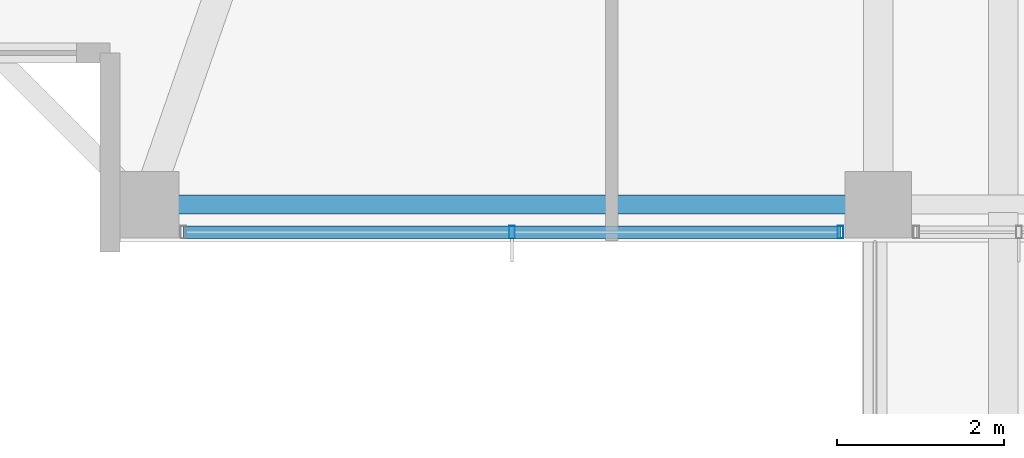
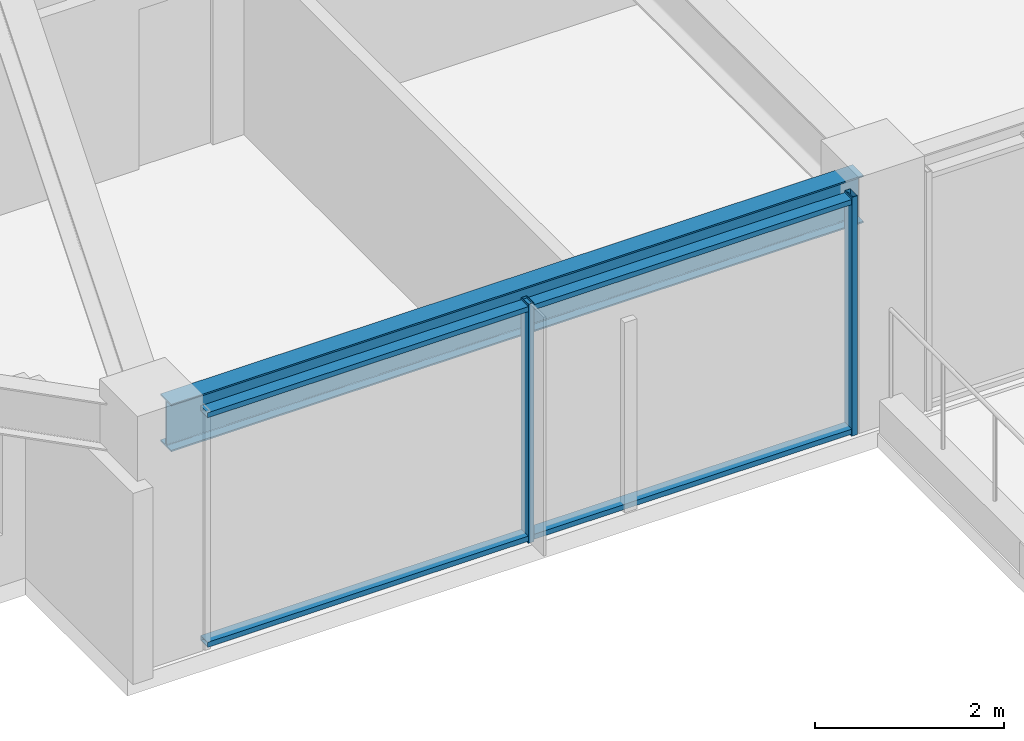
# One storey, part 3 of 36: 4 members, 1 beam, 1 element without a shape of its own.
"""IFC4 building model written with IfcOpenShell, lengths in metres."""

from ifc_helpers import new_model, si_unit, direction, frame, origin, origin_2d, place, context, subcontext, project, spatial, hollow_rectangle, i_section, extrude, material, material_profile, profile_set, type_object, element, aggregate, save


model = new_model("IFC4")

# Units and contexts
model_context = context("Model", 3, precision=1e-05, world=origin(), true_north=direction((0.0, 1.0)))
body_context = subcontext(model_context, "Body", "Model", "MODEL_VIEW")
ifc_project = project(units=[si_unit("LENGTHUNIT", "METRE"), si_unit("AREAUNIT", "SQUARE_METRE"), si_unit("VOLUMEUNIT", "CUBIC_METRE"), si_unit("PLANEANGLEUNIT", "RADIAN"), si_unit("MASSUNIT", "GRAM", prefix="KILO")], contexts=[model_context])

# Site, building, storey
site_placement = place(None, origin())
site = spatial("IfcSite", under=ifc_project, at=site_placement, CompositionType="ELEMENT")
building_placement = place(site_placement, origin())
building = spatial("IfcBuilding", under=site, at=building_placement, Name="Kolvaren Belvedere", CompositionType="ELEMENT")
storey_placement = place(building_placement, frame((0.0, 0.0, 226.199951171875)))
storey = spatial("IfcBuildingStorey", under=building, at=storey_placement, Name="L66", CompositionType="ELEMENT", Elevation=226.199951171875)

# Beam
ifc_material_1 = material(Name="Structural steel ASTM A992 Grade 50", Category="steel")
ifc_material_profile_1 = material_profile(ifc_material_1, i_section(OverallWidth=0.22900390625, OverallDepth=0.612060546875, WebThickness=0.011962890625, FlangeThickness=0.01953125, FilletRadius=0.01806640625, at=origin_2d()), Name="W24X84")
ifc_profile_set_1 = profile_set([ifc_material_profile_1], Name="Structural steel ASTM A992 Grade 50")
beam_type = type_object("IfcBeamType", Name="BM-SPAN-W24X84", PredefinedType="SPANDREL", material=ifc_profile_set_1)
beam_placement = place(storey_placement, frame((-13.219970703125, -19.949951171875, 2.774169921875), z_axis=(1.0, 0.0, 0.0), x_axis=(0.0, 1.0, 0.0)))
element("IfcBeam", 1, at=beam_placement, inside=storey, type_object=beam_type, Name="L66 Perimeter Spandrel S1-S2", PredefinedType="SPANDREL", context=body_context, shape_type="SweptSolid", body=[
    extrude(i_section(OverallWidth=0.22900390625, OverallDepth=0.612060546875, WebThickness=0.011962890625, FlangeThickness=0.01953125, FilletRadius=0.01806640625, at=origin_2d()), origin(), (0.0, 0.0, 1.0), 8.43994140625),
])

# Curtain wall, members
ifc_material_2 = material(Name="Anodised pale-metal aluminium AA 6063-T6", Category="aluminium")
curtain_wall_type = type_object("IfcCurtainWallType", Name="CW-Z5-HIGH", PredefinedType="NOTDEFINED", material=ifc_material_2)
curtain_wall_placement = place(storey_placement, origin())
curtain_wall = element("IfcCurtainWall", 2, at=curtain_wall_placement, inside=storey, type_object=curtain_wall_type, Name="L66 Unitised Curtain Wall FCW-L66-S2-B2", PredefinedType="NOTDEFINED")
ifc_material_3 = material(Name="Anodised pale-metal aluminium AA 6063-T6", Category="aluminium")
ifc_material_profile_2 = material_profile(ifc_material_3, hollow_rectangle(XDim=0.070068359375, YDim=0.14990234375, WallThickness=0.004150390625, at=origin_2d()), Name="ALU-MUL-150X70")
ifc_profile_set_2 = profile_set([ifc_material_profile_2], Name="Anodised pale-metal aluminium AA 6063-T6")
member_type_1 = type_object("IfcMemberType", Name="CW-MUL-150", PredefinedType="MULLION", material=ifc_profile_set_2)
member_1_placement = place(storey_placement, frame((-5.054931640625, -20.280029296875, 0.0), z_axis=(0.0, 0.0, 1.0), x_axis=(1.0, 0.0, 0.0)))
member_1 = element("IfcMember", 3, at=member_1_placement, type_object=member_type_1, Name="FCW-L66-S2-B2 Unitised Mullion 1", PredefinedType="MULLION", context=body_context, shape_type="SweptSolid", body=[
    extrude(hollow_rectangle(XDim=0.070068359375, YDim=0.14990234375, WallThickness=0.004150390625, at=origin_2d()), origin(), (0.0, 0.0, 1.0), 3.080078125),
])
member_2_placement = place(storey_placement, frame((-9.0, -20.280029296875, 0.0), z_axis=(0.0, 0.0, 1.0), x_axis=(1.0, 0.0, 0.0)))
member_2 = element("IfcMember", 4, at=member_2_placement, type_object=member_type_1, Name="FCW-L66-S2-B2 Unitised Mullion 2", PredefinedType="MULLION", context=body_context, shape_type="SweptSolid", body=[
    extrude(hollow_rectangle(XDim=0.070068359375, YDim=0.14990234375, WallThickness=0.004150390625, at=origin_2d()), origin(), (0.0, 0.0, 1.0), 3.080078125),
])
ifc_material_4 = material(Name="Anodised pale-metal aluminium AA 6063-T6", Category="aluminium")
ifc_material_profile_3 = material_profile(ifc_material_4, hollow_rectangle(XDim=0.06494140625, YDim=0.14990234375, WallThickness=0.00390625, at=origin_2d()), Name="ALU-TRN-150X65")
ifc_profile_set_3 = profile_set([ifc_material_profile_3], Name="Anodised pale-metal aluminium AA 6063-T6")
member_type_2 = type_object("IfcMemberType", Name="CW-TRN-150", PredefinedType="USERDEFINED", material=ifc_profile_set_3)
member_3_placement = place(storey_placement, frame((-5.054931640625, -20.280029296875, 0.06005859375), z_axis=(-1.0, 0.0, 0.0), x_axis=(0.0, 0.0, 1.0)))
member_3 = element("IfcMember", 5, at=member_3_placement, type_object=member_type_2, Name="FCW-L66-S2-B2 Sill Transom", ObjectType="TRANSOM", PredefinedType="USERDEFINED", context=body_context, shape_type="SweptSolid", body=[
    extrude(hollow_rectangle(XDim=0.06494140625, YDim=0.14990234375, WallThickness=0.00390625, at=origin_2d()), origin(), (0.0, 0.0, 1.0), 7.89013671875),
])
member_4_placement = place(storey_placement, frame((-5.054931640625, -20.280029296875, 3.02001953125), z_axis=(-1.0, 0.0, 0.0), x_axis=(0.0, 0.0, 1.0)))
member_4 = element("IfcMember", 6, at=member_4_placement, type_object=member_type_2, Name="FCW-L66-S2-B2 Head Transom", ObjectType="TRANSOM", PredefinedType="USERDEFINED", context=body_context, shape_type="SweptSolid", body=[
    extrude(hollow_rectangle(XDim=0.06494140625, YDim=0.14990234375, WallThickness=0.00390625, at=origin_2d()), origin(), (0.0, 0.0, 1.0), 7.89013671875),
])
aggregate(curtain_wall, [member_1, member_2, member_3, member_4])

save(model, "model.ifc")
